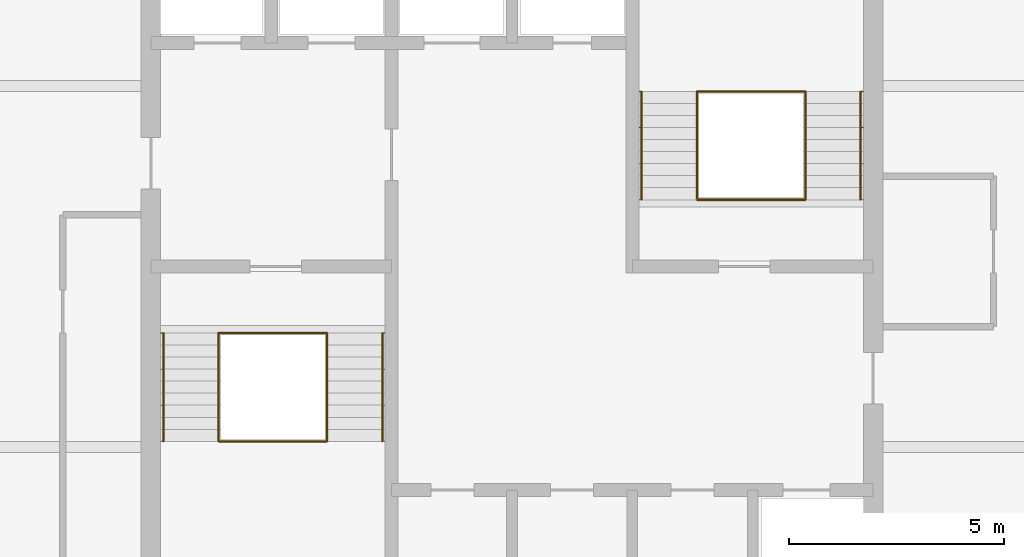
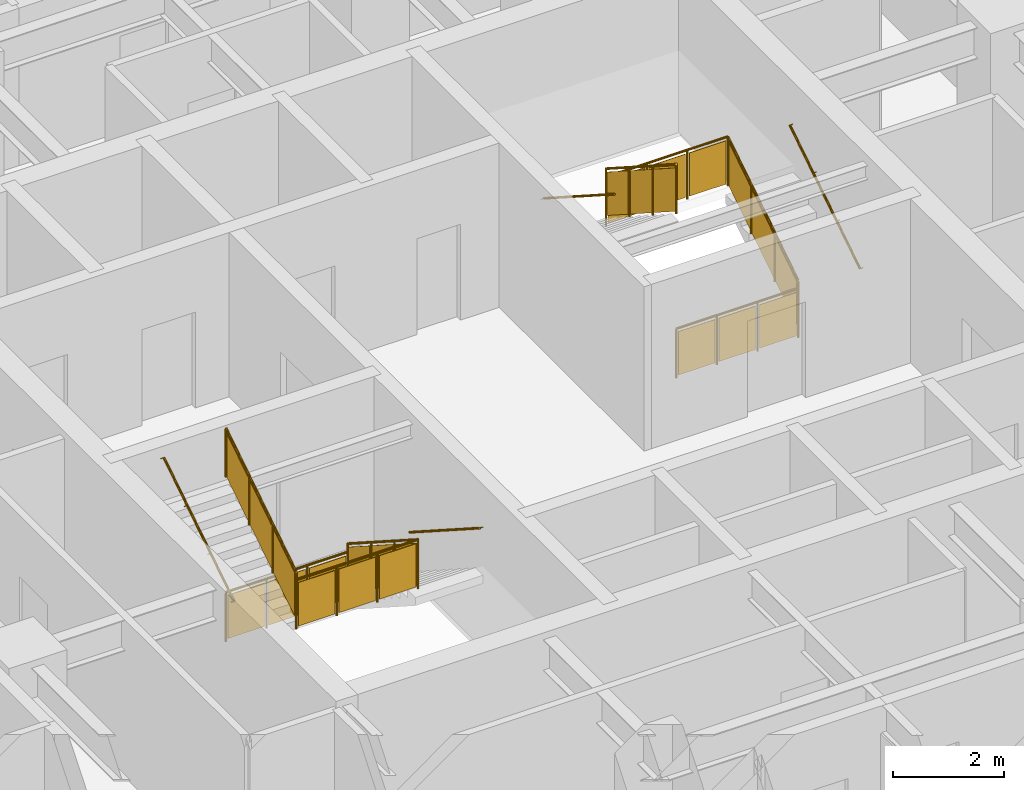
# One storey, part 10 of 10: 12 railings.
"""IFC4 building model written with IfcOpenShell, lengths in metres."""

from ifc_helpers import new_model, si_unit, direction, frame, origin, origin_2d, place, context, subcontext, project, spatial, polyline, circle, outline, extrude, material, type_object, element, save


model = new_model("IFC4")

# Units and contexts
model_context = context("Model", 3, precision=1e-05, world=origin(), true_north=direction((0.0, 1.0)))
body_context = subcontext(model_context, "Body", "Model", "MODEL_VIEW")
ifc_project = project(units=[si_unit("LENGTHUNIT", "METRE"), si_unit("AREAUNIT", "SQUARE_METRE"), si_unit("VOLUMEUNIT", "CUBIC_METRE"), si_unit("PLANEANGLEUNIT", "RADIAN"), si_unit("MASSUNIT", "GRAM", prefix="KILO")], contexts=[model_context])

# Site, building, storey
site_placement = place(None, origin())
site = spatial("IfcSite", under=ifc_project, at=site_placement, CompositionType="ELEMENT")
building_placement = place(site_placement, origin())
building = spatial("IfcBuilding", under=site, at=building_placement, Name="Torre Alcanfor", CompositionType="ELEMENT")
storey_placement = place(building_placement, frame((0.0, 0.0, 264.89990234375)))
storey = spatial("IfcBuildingStorey", under=building, at=storey_placement, Name="L69", CompositionType="ELEMENT", Elevation=264.89990234375)

# Railings
ifc_material_1 = material(Name="Steel ASTM A500 Grade C hollow sections", Category="steel")
railing_type_1 = type_object("IfcRailingType", Name="Stair guard and handrail 1100", PredefinedType="GUARDRAIL", material=ifc_material_1)
railing_1_placement = place(storey_placement, frame((25.10009765625, 27.85009765625, 0.18017578125)))
element("IfcRailing", 1, at=railing_1_placement, inside=storey, type_object=railing_type_1, Name="Stair guard S1 L69 flight 1", PredefinedType="GUARDRAIL", context=body_context, shape_type="SweptSolid", body=[
    extrude(circle(Radius=0.02392578125, at=origin_2d()), frame((0.0, 0.0, 1.076171875), z_axis=(0.0, -0.841199657755, 0.540724639528), x_axis=(1.0, 0.0, 0.0)), (0.0, 0.0, 1.0), 2.995849609375),
    extrude(circle(Radius=0.02099609375, at=origin_2d()), origin(), (0.0, 0.0, 1.0), 1.052001953125),
    extrude(circle(Radius=0.02099609375, at=origin_2d()), frame((0.0, -0.840087890625, 0.5400390625)), (0.0, 0.0, 1.0), 1.052001953125),
    extrude(circle(Radius=0.02099609375, at=origin_2d()), frame((0.0, -1.679931640625, 1.079833984375)), (0.0, 0.0, 1.0), 1.052001953125),
    extrude(circle(Radius=0.02099609375, at=origin_2d()), frame((0.0, -2.52001953125, 1.619873046875)), (0.0, 0.0, 1.0), 1.052001953125),
    extrude(outline(polyline([(0.041015625, 0.076416015625), (0.799072265625, 0.563720703125), (0.799072265625, 1.515625), (0.041015625, 1.0283203125), (0.041015625, 0.076416015625)])), frame((0.005859375, 0.0, 0.0), z_axis=(-1.0, 0.0, 0.0), x_axis=(0.0, -1.0, 0.0)), (0.0, 0.0, 1.0), 0.011962890625),
    extrude(outline(polyline([(0.881103515625, 0.6162109375), (1.638916015625, 1.103515625), (1.638916015625, 2.0556640625), (0.881103515625, 1.568359375), (0.881103515625, 0.6162109375)])), frame((0.005859375, 0.0, 0.0), z_axis=(-1.0, 0.0, 0.0), x_axis=(0.0, -1.0, 0.0)), (0.0, 0.0, 1.0), 0.011962890625),
    extrude(outline(polyline([(1.720947265625, 1.15625), (2.47900390625, 1.6435546875), (2.47900390625, 2.595458984375), (1.720947265625, 2.108154296875), (1.720947265625, 1.15625)])), frame((0.005859375, 0.0, 0.0), z_axis=(-1.0, 0.0, 0.0), x_axis=(0.0, -1.0, 0.0)), (0.0, 0.0, 1.0), 0.011962890625),
])
railing_2_placement = place(storey_placement, frame((22.574951171875, 25.330078125, 1.97998046875)))
element("IfcRailing", 2, at=railing_2_placement, inside=storey, type_object=railing_type_1, Name="Stair guard S1 L69 flight 2", PredefinedType="GUARDRAIL", context=body_context, shape_type="SweptSolid", body=[
    extrude(circle(Radius=0.02392578125, at=origin_2d()), frame((0.0, 0.0, 1.076171875), z_axis=(0.0, 0.841162588446, 0.540782303519), x_axis=(-1.0, 0.0, 0.0)), (0.0, 0.0, 1.0), 2.995849609375),
    extrude(circle(Radius=0.02099609375, at=origin_2d()), origin(), (0.0, 0.0, 1.0), 1.052001953125),
    extrude(circle(Radius=0.02099609375, at=origin_2d()), frame((0.0, 0.840087890625, 0.5400390625)), (0.0, 0.0, 1.0), 1.052001953125),
    extrude(circle(Radius=0.02099609375, at=origin_2d()), frame((0.0, 1.679931640625, 1.080078125)), (0.0, 0.0, 1.0), 1.052001953125),
    extrude(circle(Radius=0.02099609375, at=origin_2d()), frame((0.0, 2.52001953125, 1.6201171875)), (0.0, 0.0, 1.0), 1.052001953125),
    extrude(outline(polyline([(0.041015625, 0.076416015625), (0.799072265625, 0.563720703125), (0.799072265625, 1.515625), (0.041015625, 1.0283203125), (0.041015625, 0.076416015625)])), frame((-0.005859375, 0.0, 0.0), z_axis=(1.0, 0.0, 0.0), x_axis=(0.0, 1.0, 0.0)), (0.0, 0.0, 1.0), 0.011962890625),
    extrude(outline(polyline([(0.881103515625, 0.616455078125), (1.638916015625, 1.103759765625), (1.638916015625, 2.0556640625), (0.881103515625, 1.568359375), (0.881103515625, 0.616455078125)])), frame((-0.005859375, 0.0, 0.0), z_axis=(1.0, 0.0, 0.0), x_axis=(0.0, 1.0, 0.0)), (0.0, 0.0, 1.0), 0.011962890625),
    extrude(outline(polyline([(1.720947265625, 1.156494140625), (2.47900390625, 1.643798828125), (2.47900390625, 2.595703125), (1.720947265625, 2.1083984375), (1.720947265625, 1.156494140625)])), frame((-0.005859375, 0.0, 0.0), z_axis=(1.0, 0.0, 0.0), x_axis=(0.0, 1.0, 0.0)), (0.0, 0.0, 1.0), 0.011962890625),
])
for number, where, name in (
    (3, (22.574951171875, 27.85009765625, 0.0), "Stair well guard S1 L69 floor landing"),
    (4, (22.574951171875, 25.330078125, 1.800048828125), "Stair well guard S1 L69 half landing"),
):
    element("IfcRailing", number, at=place(storey_placement, frame(where)), inside=storey, type_object=railing_type_1, Name=name, PredefinedType="GUARDRAIL", context=body_context, shape_type="SweptSolid", body=[
        extrude(circle(Radius=0.02392578125, at=origin_2d()), frame((0.0, 0.0, 1.076171875), z_axis=(1.0, 0.0, 0.0), x_axis=(0.0, 1.0, 0.0)), (0.0, 0.0, 1.0), 2.525146484375),
        extrude(circle(Radius=0.02099609375, at=origin_2d()), origin(), (0.0, 0.0, 1.0), 1.052001953125),
        extrude(circle(Radius=0.02099609375, at=origin_2d()), frame((0.841796875, 0.0, 0.0)), (0.0, 0.0, 1.0), 1.052001953125),
        extrude(circle(Radius=0.02099609375, at=origin_2d()), frame((1.683349609375, 0.0, 0.0)), (0.0, 0.0, 1.0), 1.052001953125),
        extrude(circle(Radius=0.02099609375, at=origin_2d()), frame((2.525146484375, 0.0, 0.0)), (0.0, 0.0, 1.0), 1.052001953125),
        extrude(outline(polyline([(0.041015625, 0.050048828125), (0.80078125, 0.050048828125), (0.80078125, 1.001953125), (0.041015625, 1.001953125), (0.041015625, 0.050048828125)])), frame((0.0, 0.005859375, 0.0), z_axis=(0.0, -1.0, 0.0), x_axis=(1.0, 0.0, 0.0)), (0.0, 0.0, 1.0), 0.011962890625),
        extrude(outline(polyline([(0.8828125, 0.050048828125), (1.642333984375, 0.050048828125), (1.642333984375, 1.001953125), (0.8828125, 1.001953125), (0.8828125, 0.050048828125)])), frame((0.0, 0.005859375, 0.0), z_axis=(0.0, -1.0, 0.0), x_axis=(1.0, 0.0, 0.0)), (0.0, 0.0, 1.0), 0.011962890625),
        extrude(outline(polyline([(1.724365234375, 0.050048828125), (2.484130859375, 0.050048828125), (2.484130859375, 1.001953125), (1.724365234375, 1.001953125), (1.724365234375, 0.050048828125)])), frame((0.0, 0.005859375, 0.0), z_axis=(0.0, -1.0, 0.0), x_axis=(1.0, 0.0, 0.0)), (0.0, 0.0, 1.0), 0.011962890625),
    ])
railing_3_placement = place(storey_placement, frame((36.22509765625, 30.949951171875, 0.18017578125)))
element("IfcRailing", 5, at=railing_3_placement, inside=storey, type_object=railing_type_1, Name="Stair guard S2 L69 flight 1", PredefinedType="GUARDRAIL", context=body_context, shape_type="SweptSolid", body=[
    extrude(circle(Radius=0.02392578125, at=origin_2d()), frame((0.0, 0.0, 1.076171875), z_axis=(0.0, 0.841199657755, 0.540724639528), x_axis=(-1.0, 0.0, 0.0)), (0.0, 0.0, 1.0), 2.995849609375),
    extrude(circle(Radius=0.02099609375, at=origin_2d()), origin(), (0.0, 0.0, 1.0), 1.052001953125),
    extrude(circle(Radius=0.02099609375, at=origin_2d()), frame((0.0, 0.840087890625, 0.5400390625)), (0.0, 0.0, 1.0), 1.052001953125),
    extrude(circle(Radius=0.02099609375, at=origin_2d()), frame((0.0, 1.679931640625, 1.079833984375)), (0.0, 0.0, 1.0), 1.052001953125),
    extrude(circle(Radius=0.02099609375, at=origin_2d()), frame((0.0, 2.52001953125, 1.619873046875)), (0.0, 0.0, 1.0), 1.052001953125),
    extrude(outline(polyline([(0.041015625, 0.076416015625), (0.799072265625, 0.563720703125), (0.799072265625, 1.515625), (0.041015625, 1.0283203125), (0.041015625, 0.076416015625)])), frame((-0.005859375, 0.0, 0.0), z_axis=(1.0, 0.0, 0.0), x_axis=(0.0, 1.0, 0.0)), (0.0, 0.0, 1.0), 0.011962890625),
    extrude(outline(polyline([(0.881103515625, 0.6162109375), (1.638916015625, 1.103515625), (1.638916015625, 2.0556640625), (0.881103515625, 1.568359375), (0.881103515625, 0.6162109375)])), frame((-0.005859375, 0.0, 0.0), z_axis=(1.0, 0.0, 0.0), x_axis=(0.0, 1.0, 0.0)), (0.0, 0.0, 1.0), 0.011962890625),
    extrude(outline(polyline([(1.720947265625, 1.15625), (2.47900390625, 1.6435546875), (2.47900390625, 2.595458984375), (1.720947265625, 2.108154296875), (1.720947265625, 1.15625)])), frame((-0.005859375, 0.0, 0.0), z_axis=(1.0, 0.0, 0.0), x_axis=(0.0, 1.0, 0.0)), (0.0, 0.0, 1.0), 0.011962890625),
])
railing_4_placement = place(storey_placement, frame((33.699951171875, 33.469970703125, 1.97998046875)))
element("IfcRailing", 6, at=railing_4_placement, inside=storey, type_object=railing_type_1, Name="Stair guard S2 L69 flight 2", PredefinedType="GUARDRAIL", context=body_context, shape_type="SweptSolid", body=[
    extrude(circle(Radius=0.02392578125, at=origin_2d()), frame((0.0, 0.0, 1.076171875), z_axis=(0.0, -0.841162588446, 0.540782303519), x_axis=(1.0, 0.0, 0.0)), (0.0, 0.0, 1.0), 2.995849609375),
    extrude(circle(Radius=0.02099609375, at=origin_2d()), origin(), (0.0, 0.0, 1.0), 1.052001953125),
    extrude(circle(Radius=0.02099609375, at=origin_2d()), frame((0.0, -0.840087890625, 0.5400390625)), (0.0, 0.0, 1.0), 1.052001953125),
    extrude(circle(Radius=0.02099609375, at=origin_2d()), frame((0.0, -1.679931640625, 1.080078125)), (0.0, 0.0, 1.0), 1.052001953125),
    extrude(circle(Radius=0.02099609375, at=origin_2d()), frame((0.0, -2.52001953125, 1.6201171875)), (0.0, 0.0, 1.0), 1.052001953125),
    extrude(outline(polyline([(0.041015625, 0.076416015625), (0.799072265625, 0.563720703125), (0.799072265625, 1.515625), (0.041015625, 1.0283203125), (0.041015625, 0.076416015625)])), frame((0.005859375, 0.0, 0.0), z_axis=(-1.0, 0.0, 0.0), x_axis=(0.0, -1.0, 0.0)), (0.0, 0.0, 1.0), 0.011962890625),
    extrude(outline(polyline([(0.881103515625, 0.616455078125), (1.638916015625, 1.103759765625), (1.638916015625, 2.0556640625), (0.881103515625, 1.568359375), (0.881103515625, 0.616455078125)])), frame((0.005859375, 0.0, 0.0), z_axis=(-1.0, 0.0, 0.0), x_axis=(0.0, -1.0, 0.0)), (0.0, 0.0, 1.0), 0.011962890625),
    extrude(outline(polyline([(1.720947265625, 1.156494140625), (2.47900390625, 1.643798828125), (2.47900390625, 2.595703125), (1.720947265625, 2.1083984375), (1.720947265625, 1.156494140625)])), frame((0.005859375, 0.0, 0.0), z_axis=(-1.0, 0.0, 0.0), x_axis=(0.0, -1.0, 0.0)), (0.0, 0.0, 1.0), 0.011962890625),
])
for number, where, name in (
    (7, (33.699951171875, 30.949951171875, 0.0), "Stair well guard S2 L69 floor landing"),
    (8, (33.699951171875, 33.469970703125, 1.800048828125), "Stair well guard S2 L69 half landing"),
):
    element("IfcRailing", number, at=place(storey_placement, frame(where)), inside=storey, type_object=railing_type_1, Name=name, PredefinedType="GUARDRAIL", context=body_context, shape_type="SweptSolid", body=[
        extrude(circle(Radius=0.02392578125, at=origin_2d()), frame((0.0, 0.0, 1.076171875), z_axis=(1.0, 0.0, 0.0), x_axis=(0.0, 1.0, 0.0)), (0.0, 0.0, 1.0), 2.525146484375),
        extrude(circle(Radius=0.02099609375, at=origin_2d()), origin(), (0.0, 0.0, 1.0), 1.052001953125),
        extrude(circle(Radius=0.02099609375, at=origin_2d()), frame((0.841796875, 0.0, 0.0)), (0.0, 0.0, 1.0), 1.052001953125),
        extrude(circle(Radius=0.02099609375, at=origin_2d()), frame((1.683349609375, 0.0, 0.0)), (0.0, 0.0, 1.0), 1.052001953125),
        extrude(circle(Radius=0.02099609375, at=origin_2d()), frame((2.525146484375, 0.0, 0.0)), (0.0, 0.0, 1.0), 1.052001953125),
        extrude(outline(polyline([(0.041015625, 0.050048828125), (0.80078125, 0.050048828125), (0.80078125, 1.001953125), (0.041015625, 1.001953125), (0.041015625, 0.050048828125)])), frame((0.0, 0.005859375, 0.0), z_axis=(0.0, -1.0, 0.0), x_axis=(1.0, 0.0, 0.0)), (0.0, 0.0, 1.0), 0.011962890625),
        extrude(outline(polyline([(0.8828125, 0.050048828125), (1.642333984375, 0.050048828125), (1.642333984375, 1.001953125), (0.8828125, 1.001953125), (0.8828125, 0.050048828125)])), frame((0.0, 0.005859375, 0.0), z_axis=(0.0, -1.0, 0.0), x_axis=(1.0, 0.0, 0.0)), (0.0, 0.0, 1.0), 0.011962890625),
        extrude(outline(polyline([(1.724365234375, 0.050048828125), (2.484130859375, 0.050048828125), (2.484130859375, 1.001953125), (1.724365234375, 1.001953125), (1.724365234375, 0.050048828125)])), frame((0.0, 0.005859375, 0.0), z_axis=(0.0, -1.0, 0.0), x_axis=(1.0, 0.0, 0.0)), (0.0, 0.0, 1.0), 0.011962890625),
    ])
ifc_material_2 = material(Name="Steel ASTM A500 Grade C hollow sections", Category="steel")
railing_type_2 = type_object("IfcRailingType", Name="Stair wall handrail 900", PredefinedType="HANDRAIL", material=ifc_material_2)
railing_5_placement = place(storey_placement, frame((26.385009765625, 27.85009765625, 0.18017578125)))
element("IfcRailing", 9, at=railing_5_placement, inside=storey, type_object=railing_type_2, Name="Stair handrail S1 L69 flight 1", PredefinedType="HANDRAIL", context=body_context, shape_type="SweptSolid", body=[
    extrude(circle(Radius=0.02392578125, at=origin_2d()), frame((0.0, 0.0, 0.8759765625), z_axis=(0.0, -0.841199657755, 0.540724639528), x_axis=(1.0, 0.0, 0.0)), (0.0, 0.0, 1.0), 2.995849609375),
    extrude(circle(Radius=0.008056640625, at=origin_2d()), frame((0.0, 0.0, 0.8759765625), z_axis=(1.0, 0.0, 0.0), x_axis=(0.0, 0.0, 1.0)), (0.0, 0.0, 1.0), 0.06494140625),
    extrude(circle(Radius=0.008056640625, at=origin_2d()), frame((0.0, -0.840087890625, 1.415771484375), z_axis=(1.0, 0.0, 0.0), x_axis=(0.0, 0.0, 1.0)), (0.0, 0.0, 1.0), 0.06494140625),
    extrude(circle(Radius=0.008056640625, at=origin_2d()), frame((0.0, -1.679931640625, 1.955810546875), z_axis=(1.0, 0.0, 0.0), x_axis=(0.0, 0.0, 1.0)), (0.0, 0.0, 1.0), 0.06494140625),
    extrude(circle(Radius=0.008056640625, at=origin_2d()), frame((0.0, -2.52001953125, 2.49560546875), z_axis=(1.0, 0.0, 0.0), x_axis=(0.0, 0.0, 1.0)), (0.0, 0.0, 1.0), 0.06494140625),
])
railing_6_placement = place(storey_placement, frame((21.2900390625, 25.330078125, 1.97998046875)))
element("IfcRailing", 10, at=railing_6_placement, inside=storey, type_object=railing_type_2, Name="Stair handrail S1 L69 flight 2", PredefinedType="HANDRAIL", context=body_context, shape_type="SweptSolid", body=[
    extrude(circle(Radius=0.02392578125, at=origin_2d()), frame((0.0, 0.0, 0.8759765625), z_axis=(0.0, 0.841162588446, 0.540782303519), x_axis=(-1.0, 0.0, 0.0)), (0.0, 0.0, 1.0), 2.995849609375),
    extrude(circle(Radius=0.008056640625, at=origin_2d()), frame((0.0, 0.0, 0.8759765625), z_axis=(-1.0, 0.0, 0.0), x_axis=(0.0, 0.0, 1.0)), (0.0, 0.0, 1.0), 0.06494140625),
    extrude(circle(Radius=0.008056640625, at=origin_2d()), frame((0.0, 0.840087890625, 1.416015625), z_axis=(-1.0, 0.0, 0.0), x_axis=(0.0, 0.0, 1.0)), (0.0, 0.0, 1.0), 0.06494140625),
    extrude(circle(Radius=0.008056640625, at=origin_2d()), frame((0.0, 1.679931640625, 1.9560546875), z_axis=(-1.0, 0.0, 0.0), x_axis=(0.0, 0.0, 1.0)), (0.0, 0.0, 1.0), 0.06494140625),
    extrude(circle(Radius=0.008056640625, at=origin_2d()), frame((0.0, 2.52001953125, 2.49609375), z_axis=(-1.0, 0.0, 0.0), x_axis=(0.0, 0.0, 1.0)), (0.0, 0.0, 1.0), 0.06494140625),
])
railing_7_placement = place(storey_placement, frame((37.510009765625, 30.949951171875, 0.18017578125)))
element("IfcRailing", 11, at=railing_7_placement, inside=storey, type_object=railing_type_2, Name="Stair handrail S2 L69 flight 1", PredefinedType="HANDRAIL", context=body_context, shape_type="SweptSolid", body=[
    extrude(circle(Radius=0.02392578125, at=origin_2d()), frame((0.0, 0.0, 0.8759765625), z_axis=(0.0, 0.841199657755, 0.540724639528), x_axis=(-1.0, 0.0, 0.0)), (0.0, 0.0, 1.0), 2.995849609375),
    extrude(circle(Radius=0.008056640625, at=origin_2d()), frame((0.0, 0.0, 0.8759765625), z_axis=(1.0, 0.0, 0.0), x_axis=(0.0, 0.0, 1.0)), (0.0, 0.0, 1.0), 0.06494140625),
    extrude(circle(Radius=0.008056640625, at=origin_2d()), frame((0.0, 0.840087890625, 1.415771484375), z_axis=(1.0, 0.0, 0.0), x_axis=(0.0, 0.0, 1.0)), (0.0, 0.0, 1.0), 0.06494140625),
    extrude(circle(Radius=0.008056640625, at=origin_2d()), frame((0.0, 1.679931640625, 1.955810546875), z_axis=(1.0, 0.0, 0.0), x_axis=(0.0, 0.0, 1.0)), (0.0, 0.0, 1.0), 0.06494140625),
    extrude(circle(Radius=0.008056640625, at=origin_2d()), frame((0.0, 2.52001953125, 2.49560546875), z_axis=(1.0, 0.0, 0.0), x_axis=(0.0, 0.0, 1.0)), (0.0, 0.0, 1.0), 0.06494140625),
])
railing_8_placement = place(storey_placement, frame((32.4150390625, 33.469970703125, 1.97998046875)))
element("IfcRailing", 12, at=railing_8_placement, inside=storey, type_object=railing_type_2, Name="Stair handrail S2 L69 flight 2", PredefinedType="HANDRAIL", context=body_context, shape_type="SweptSolid", body=[
    extrude(circle(Radius=0.02392578125, at=origin_2d()), frame((0.0, 0.0, 0.8759765625), z_axis=(0.0, -0.841162588446, 0.540782303519), x_axis=(1.0, 0.0, 0.0)), (0.0, 0.0, 1.0), 2.995849609375),
    extrude(circle(Radius=0.008056640625, at=origin_2d()), frame((0.0, 0.0, 0.8759765625), z_axis=(-1.0, 0.0, 0.0), x_axis=(0.0, 0.0, 1.0)), (0.0, 0.0, 1.0), 0.06494140625),
    extrude(circle(Radius=0.008056640625, at=origin_2d()), frame((0.0, -0.840087890625, 1.416015625), z_axis=(-1.0, 0.0, 0.0), x_axis=(0.0, 0.0, 1.0)), (0.0, 0.0, 1.0), 0.06494140625),
    extrude(circle(Radius=0.008056640625, at=origin_2d()), frame((0.0, -1.679931640625, 1.9560546875), z_axis=(-1.0, 0.0, 0.0), x_axis=(0.0, 0.0, 1.0)), (0.0, 0.0, 1.0), 0.06494140625),
    extrude(circle(Radius=0.008056640625, at=origin_2d()), frame((0.0, -2.52001953125, 2.49609375), z_axis=(-1.0, 0.0, 0.0), x_axis=(0.0, 0.0, 1.0)), (0.0, 0.0, 1.0), 0.06494140625),
])

save(model, "model.ifc")
